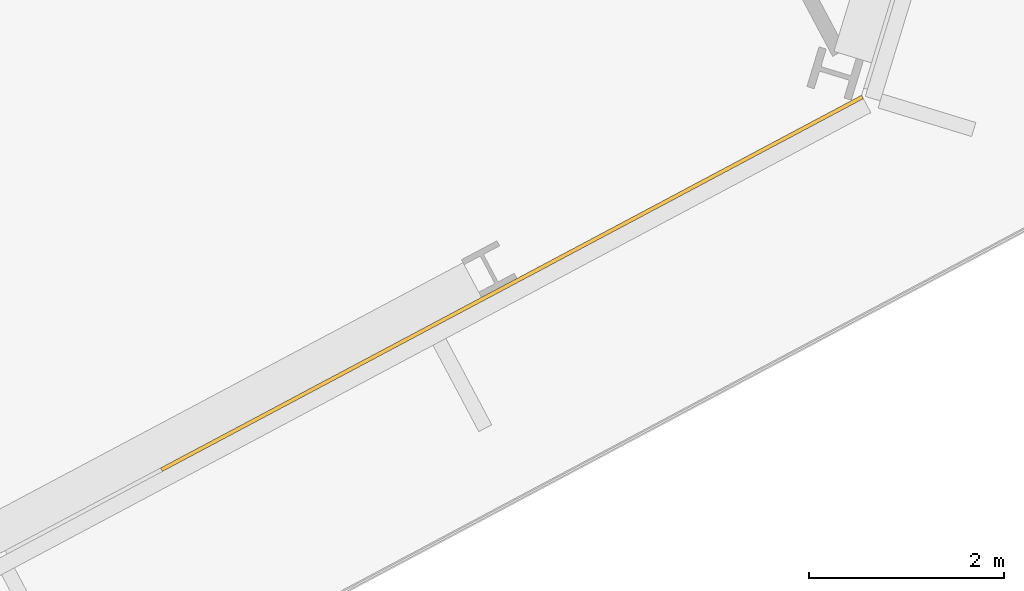
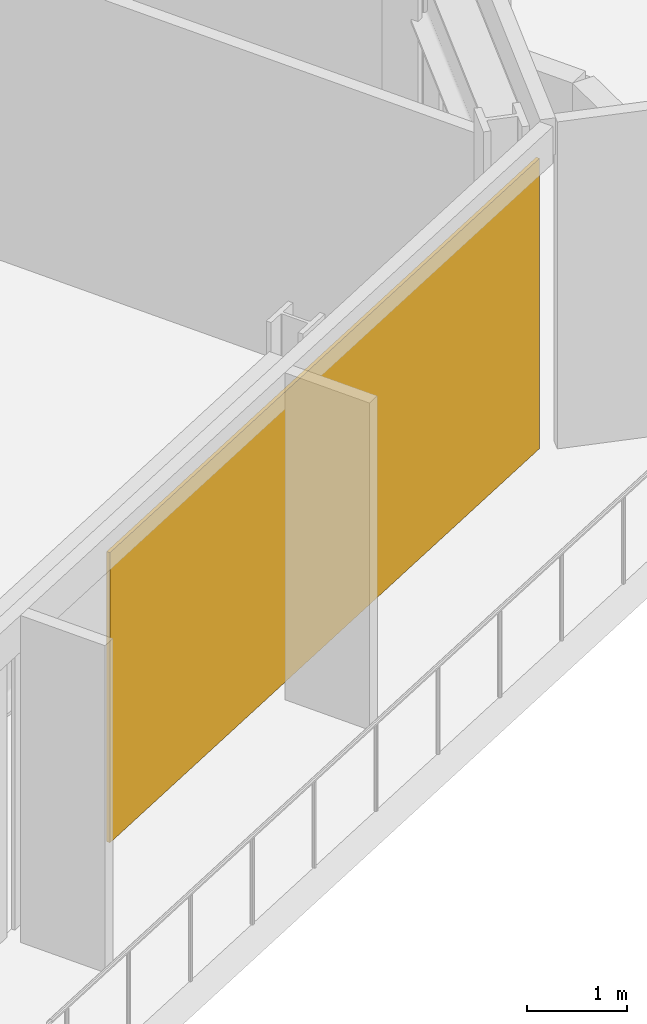
# One storey, part 31 of 34: 1 covering, 1 element without a shape of its own.
"""IFC4 building model written with IfcOpenShell, lengths in metres."""

from ifc_helpers import new_model, si_unit, direction, frame, origin, origin_2d, place, context, subcontext, project, spatial, rectangle, extrude, material, layer, layer_set, type_object, element, aggregate, save


model = new_model("IFC4")

# Units and contexts
model_context = context("Model", 3, precision=1e-05, world=origin(), true_north=direction((0.0, 1.0)))
body_context = subcontext(model_context, "Body", "Model", "MODEL_VIEW")
ifc_project = project(units=[si_unit("LENGTHUNIT", "METRE"), si_unit("AREAUNIT", "SQUARE_METRE"), si_unit("VOLUMEUNIT", "CUBIC_METRE"), si_unit("PLANEANGLEUNIT", "RADIAN"), si_unit("MASSUNIT", "GRAM", prefix="KILO")], contexts=[model_context])

# Site, building, storey
site_placement = place(None, origin())
site = spatial("IfcSite", under=ifc_project, at=site_placement, CompositionType="ELEMENT")
building_placement = place(site_placement, origin())
building = spatial("IfcBuilding", under=site, at=building_placement, Name="Cormorant Relay Tower", CompositionType="ELEMENT")
storey_placement = place(building_placement, frame((0.0, 0.0, 118.199951171875)))
storey = spatial("IfcBuildingStorey", under=building, at=storey_placement, Name="L23", CompositionType="ELEMENT", Elevation=118.199951171875)

# Curtain wall, covering
ifc_material_1 = material(Name="Aluminium 6063-T6 anodised bronze", Category="aluminium")
ifc_layer_1 = layer(ifc_material_1, 0.199951171875)
ifc_layer_set_1 = layer_set([ifc_layer_1], Name="CW1 unitised bronze curtain wall with vertical fins")
curtain_wall_type = type_object("IfcCurtainWallType", Name="CW1 unitised bronze curtain wall with vertical fins", PredefinedType="NOTDEFINED", material=ifc_layer_set_1)
curtain_wall_placement = place(storey_placement, origin())
curtain_wall = element("IfcCurtainWall", 1, at=curtain_wall_placement, inside=storey, type_object=curtain_wall_type, Name="CW1 curtain wall 4", PredefinedType="NOTDEFINED")
ifc_material_2 = material(Name="Pale bronze anodised aluminium insulated panel", Category="aluminium")
ifc_layer_2 = layer(ifc_material_2, 0.0400390625)
ifc_layer_set_2 = layer_set([ifc_layer_2], Name="CW1 pale bronze insulated panel 40")
covering_type = type_object("IfcCoveringType", Name="CW1 pale bronze insulated panel 40", PredefinedType="CLADDING", material=ifc_layer_set_2)
covering_placement = place(storey_placement, frame((52.138671875, 6.18115234375, 0.0), z_axis=(0.0, 0.0, 1.0), x_axis=(0.882947592859, 0.469471562786, 0.0)))
covering = element("IfcCovering", 2, at=covering_placement, type_object=covering_type, Name="CW1 panel S04", PredefinedType="CLADDING", context=body_context, shape_type="SweptSolid", body=[
    extrude(rectangle(XDim=8.125, YDim=0.0400390625, at=origin_2d()), origin(), (0.0, 0.0, 1.0), 3.550048828125),
])
aggregate(curtain_wall, [covering])

save(model, "model.ifc")
